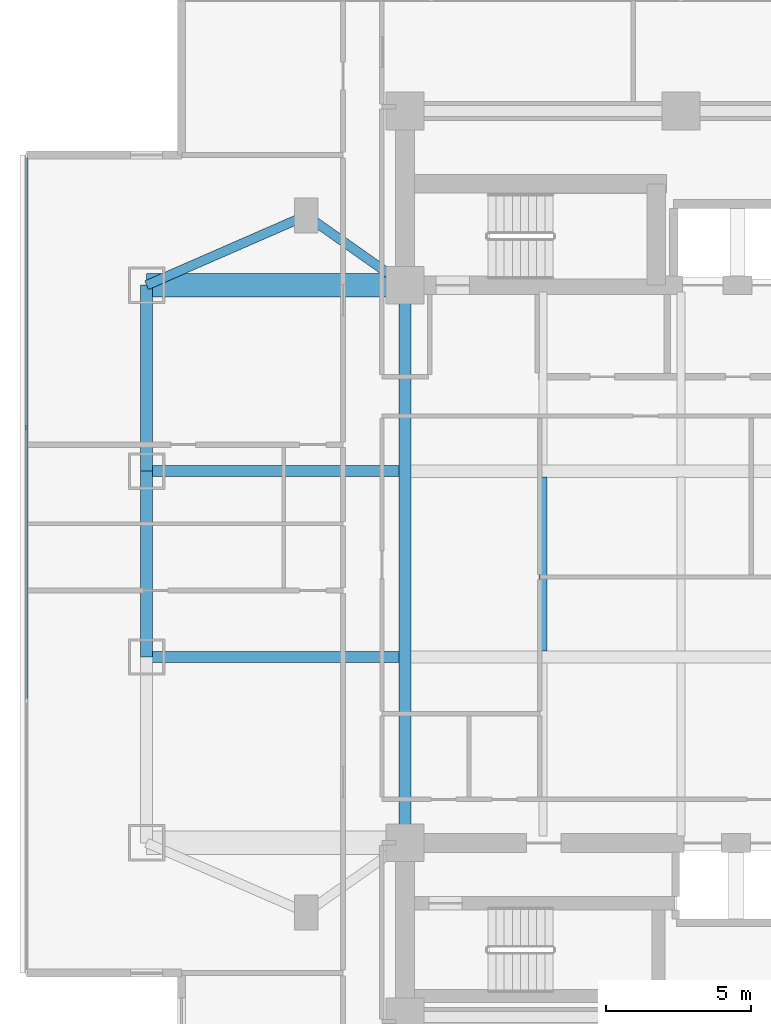
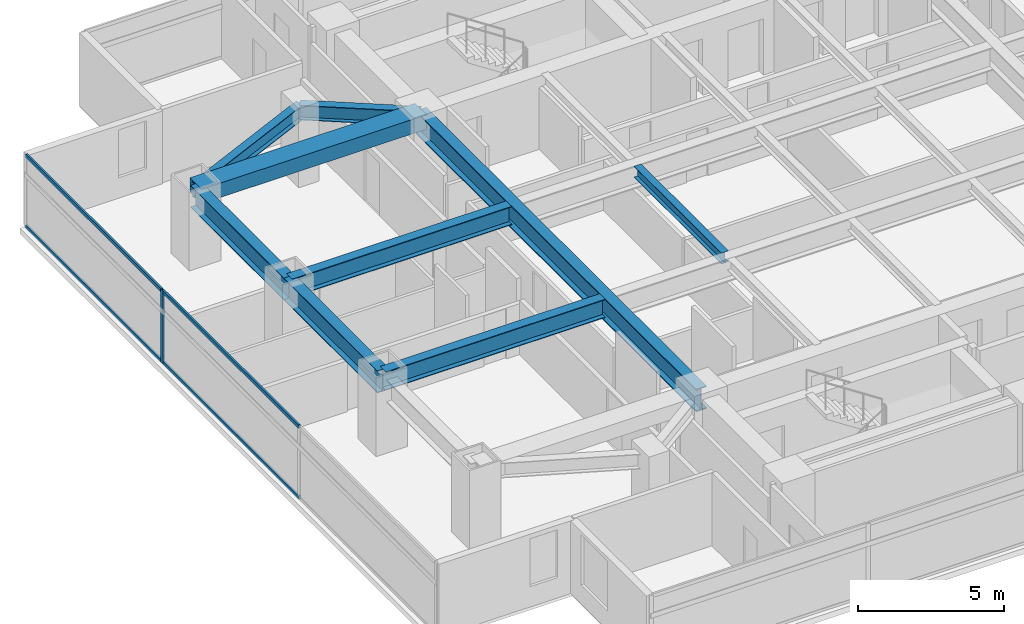
# One storey, part 3 of 27: 9 beams, 5 members, 1 element without a shape of its own.
"""IFC4 building model written with IfcOpenShell, lengths in metres."""

from ifc_helpers import new_model, si_unit, direction, frame, origin, origin_2d, place, context, subcontext, project, spatial, rectangle, i_section, extrude, material, material_profile, profile_set, type_object, element, aggregate, save


model = new_model("IFC4")

# Units and contexts
model_context = context("Model", 3, precision=1e-05, world=origin(), true_north=direction((0.0, 1.0)))
body_context = subcontext(model_context, "Body", "Model", "MODEL_VIEW")
ifc_project = project(units=[si_unit("LENGTHUNIT", "METRE"), si_unit("AREAUNIT", "SQUARE_METRE"), si_unit("VOLUMEUNIT", "CUBIC_METRE"), si_unit("PLANEANGLEUNIT", "RADIAN"), si_unit("MASSUNIT", "GRAM", prefix="KILO")], contexts=[model_context])

# Site, building, storey
site_placement = place(None, origin())
site = spatial("IfcSite", under=ifc_project, at=site_placement, CompositionType="ELEMENT")
building_placement = place(site_placement, origin())
building = spatial("IfcBuilding", under=site, at=building_placement, Name="Mirazonda Arch Towers", CompositionType="ELEMENT")
storey_placement = place(building_placement, frame((0.0, 0.0, 75.199951171875)))
storey = spatial("IfcBuildingStorey", under=building, at=storey_placement, Name="L21", CompositionType="ELEMENT", Elevation=75.199951171875)

# Beams
ifc_material_1 = material(Name="Steel ASTM A992 Grade 50", Category="steel")
ifc_material_profile_1 = material_profile(ifc_material_1, i_section(OverallWidth=0.41796875, OverallDepth=0.927001953125, WebThickness=0.019287109375, FlangeThickness=0.031982421875, at=origin_2d()), Name="W36X231")
ifc_profile_set_1 = profile_set([ifc_material_profile_1], Name="Steel ASTM A992 Grade 50")
beam_type_1 = type_object("IfcBeamType", Name="BM-EXT-W36X231", PredefinedType="USERDEFINED", material=ifc_profile_set_1)
beam_1_placement = place(storey_placement, frame((2.10009765625, 24.800048828125, 2.596435546875), z_axis=(0.0, 1.0, 0.0), x_axis=(-1.0, 0.0, 0.0)))
element("IfcBeam", 1, at=beam_1_placement, inside=storey, type_object=beam_type_1, Name="L21 Floor Beam BM-T1-L21-NS-W-24", ObjectType="GIRDER", PredefinedType="USERDEFINED", context=body_context, shape_type="SweptSolid", body=[
    extrude(i_section(OverallWidth=0.41796875, OverallDepth=0.927001953125, WebThickness=0.019287109375, FlangeThickness=0.031982421875, at=origin_2d()), origin(), (0.0, 0.0, 1.0), 6.39990234375),
])
beam_2_placement = place(storey_placement, frame((2.10009765625, 31.199951171875, 2.596435546875), z_axis=(0.0, 1.0, 0.0), x_axis=(-1.0, 0.0, 0.0)))
element("IfcBeam", 2, at=beam_2_placement, inside=storey, type_object=beam_type_1, Name="L21 Floor Beam BM-T1-L21-NS-W-31", ObjectType="GIRDER", PredefinedType="USERDEFINED", context=body_context, shape_type="SweptSolid", body=[
    extrude(i_section(OverallWidth=0.41796875, OverallDepth=0.927001953125, WebThickness=0.019287109375, FlangeThickness=0.031982421875, at=origin_2d()), origin(), (0.0, 0.0, 1.0), 6.400146484375),
])
ifc_material_profile_2 = material_profile(ifc_material_1, i_section(OverallWidth=0.280029296875, OverallDepth=0.462890625, WebThickness=0.0107421875, FlangeThickness=0.017333984375, at=origin_2d()), Name="W18X76")
ifc_profile_set_2 = profile_set([ifc_material_profile_2], Name="Steel ASTM A992 Grade 50")
beam_type_2 = type_object("IfcBeamType", Name="BM-INT-W18X76", PredefinedType="JOIST", material=ifc_profile_set_2)
beam_3_placement = place(storey_placement, frame((15.75, 25.007568359375, 2.82861328125), z_axis=(0.0, 1.0, 0.0), x_axis=(-1.0, 0.0, 0.0)))
element("IfcBeam", 3, at=beam_3_placement, inside=storey, type_object=beam_type_2, Name="L21 Floor Beam BM-T1-L21-J-157-24", PredefinedType="JOIST", context=body_context, shape_type="SweptSolid", body=[
    extrude(i_section(OverallWidth=0.280029296875, OverallDepth=0.462890625, WebThickness=0.0107421875, FlangeThickness=0.017333984375, at=origin_2d()), origin(), (0.0, 0.0, 1.0), 5.98486328125),
])
ifc_material_profile_3 = material_profile(ifc_material_1, i_section(OverallWidth=0.324951171875, OverallDepth=0.615966796875, WebThickness=0.013916015625, FlangeThickness=0.021484375, at=origin_2d()), Name="W24X117")
ifc_profile_set_3 = profile_set([ifc_material_profile_3], Name="Steel ASTM A992 Grade 50")
beam_type_3 = type_object("IfcBeamType", Name="BM-INT-W24X117", PredefinedType="BEAM", material=ifc_profile_set_3)
beam_4_placement = place(storey_placement, frame((7.60009765625, 40.0, 2.751953125), z_axis=(0.816971114901, -0.576678591087, 0.0), x_axis=(0.576678591087, 0.816971114901, 0.0)))
element("IfcBeam", 4, at=beam_4_placement, inside=storey, type_object=beam_type_3, Name="L21 Floor Beam BM-T1-L21-PL-NW1", PredefinedType="BEAM", context=body_context, shape_type="SweptSolid", body=[
    extrude(i_section(OverallWidth=0.324951171875, OverallDepth=0.615966796875, WebThickness=0.013916015625, FlangeThickness=0.021484375, at=origin_2d()), origin(), (0.0, 0.0, 1.0), 4.16162109375),
])
beam_5_placement = place(storey_placement, frame((7.60009765625, 40.0, 2.751953125), z_axis=(-0.916545343703, -0.399930785183, 0.0), x_axis=(0.399930785183, -0.916545343703, 0.0)))
element("IfcBeam", 5, at=beam_5_placement, inside=storey, type_object=beam_type_3, Name="L21 Floor Beam BM-T1-L21-PL-NW2", PredefinedType="BEAM", context=body_context, shape_type="SweptSolid", body=[
    extrude(i_section(OverallWidth=0.324951171875, OverallDepth=0.615966796875, WebThickness=0.013916015625, FlangeThickness=0.021484375, at=origin_2d()), origin(), (0.0, 0.0, 1.0), 6.000732421875),
])
ifc_material_profile_4 = material_profile(ifc_material_1, i_section(OverallWidth=0.381103515625, OverallDepth=0.77294921875, WebThickness=0.0166015625, FlangeThickness=0.027099609375, at=origin_2d()), Name="W30X173")
ifc_profile_set_4 = profile_set([ifc_material_profile_4], Name="Steel ASTM A992 Grade 50")
beam_type_4 = type_object("IfcBeamType", Name="BM-INT-W30X173", PredefinedType="USERDEFINED", material=ifc_profile_set_4)
for number, where, z_axis, x_axis, name in (
    (6, (2.10009765625, 24.800048828125, 2.673583984375), (1.0, 0.0, 0.0), (0.0, 1.0, 0.0), "L21 Floor Beam BM-T1-L21-GW2"),
    (7, (2.10009765625, 31.199951171875, 2.673583984375), (1.0, 0.0, 0.0), (0.0, 1.0, 0.0), "L21 Floor Beam BM-T1-L21-GW3"),
):
    element("IfcBeam", number, at=place(storey_placement, frame(where, z_axis=z_axis, x_axis=x_axis)), inside=storey, type_object=beam_type_4, Name=name, ObjectType="GIRDER", PredefinedType="USERDEFINED", context=body_context, shape_type="SweptSolid", body=[
        extrude(i_section(OverallWidth=0.381103515625, OverallDepth=0.77294921875, WebThickness=0.0166015625, FlangeThickness=0.027099609375, at=origin_2d()), origin(), (0.0, 0.0, 1.0), 8.6884765625),
    ])
ifc_material_profile_5 = material_profile(ifc_material_1, i_section(OverallWidth=0.423095703125, OverallDepth=0.947998046875, WebThickness=0.02392578125, FlangeThickness=0.042724609375, at=origin_2d()), Name="W36X302")
ifc_profile_set_5 = profile_set([ifc_material_profile_5], Name="Steel ASTM A992 Grade 50")
beam_type_5 = type_object("IfcBeamType", Name="BM-INT-W36X302", PredefinedType="USERDEFINED", material=ifc_profile_set_5)
beam_6_placement = place(storey_placement, frame((11.0, 18.39990234375, 2.5859375), z_axis=(0.0, 1.0, 0.0), x_axis=(-1.0, 0.0, 0.0)))
element("IfcBeam", 8, at=beam_6_placement, inside=storey, type_object=beam_type_5, Name="L21 Floor Beam BM-T1-L21-NS-CW-FULL", ObjectType="GIRDER", PredefinedType="USERDEFINED", context=body_context, shape_type="SweptSolid", body=[
    extrude(i_section(OverallWidth=0.423095703125, OverallDepth=0.947998046875, WebThickness=0.02392578125, FlangeThickness=0.042724609375, at=origin_2d()), origin(), (0.0, 0.0, 1.0), 19.2001953125),
])
ifc_material_2 = material(Name="Concrete C60/75", Category="concrete")
ifc_material_profile_6 = material_profile(ifc_material_2, rectangle(XDim=0.800048828125, YDim=0.60009765625, at=origin_2d()), Name="RCCB800x600")
ifc_profile_set_6 = profile_set([ifc_material_profile_6], Name="Concrete C60/75")
beam_type_6 = type_object("IfcBeamType", Name="CB-INT-RCCB800x600", PredefinedType="SPANDREL", material=ifc_profile_set_6)
beam_7_placement = place(storey_placement, frame((2.10009765625, 37.60009765625, 2.760009765625), z_axis=(1.0, 0.0, 0.0), x_axis=(0.0, 1.0, 0.0)))
element("IfcBeam", 9, at=beam_7_placement, inside=storey, type_object=beam_type_6, Name="L21 Floor Beam CBC-T1-L21-NW", PredefinedType="SPANDREL", context=body_context, shape_type="SweptSolid", body=[
    extrude(rectangle(XDim=0.800048828125, YDim=0.60009765625, at=origin_2d()), origin(), (0.0, 0.0, 1.0), 8.89990234375),
])

# Curtain wall, members
ifc_material_3 = material(Name="Anodised Aluminium and Low-E Glass", Category="aluminium")
curtain_wall_type = type_object("IfcCurtainWallType", Name="CW-HTL-UNIT", PredefinedType="NOTDEFINED", material=ifc_material_3)
curtain_wall_placement = place(storey_placement, origin())
curtain_wall = element("IfcCurtainWall", 10, at=curtain_wall_placement, inside=storey, type_object=curtain_wall_type, Name="L21 T1 W Facade CW-L21-T1-W", PredefinedType="NOTDEFINED")
ifc_material_4 = material(Name="Anodised Aluminium Alloy", Category="aluminium")
ifc_material_profile_7 = material_profile(ifc_material_4, rectangle(XDim=0.074951171875, YDim=0.1650390625, at=origin_2d()), Name="ALU-MULL-75x165")
ifc_profile_set_7 = profile_set([ifc_material_profile_7], Name="Anodised Aluminium Alloy")
member_type_1 = type_object("IfcMemberType", Name="MULL-CW-HTL-UNIT", PredefinedType="MULLION", material=ifc_profile_set_7)
member_1_placement = place(storey_placement, frame((-2.0400390625, 32.6953125, 0.0), z_axis=(0.0, 0.0, 1.0), x_axis=(1.0, 0.0, 0.0)))
member_1 = element("IfcMember", 11, at=member_1_placement, type_object=member_type_1, Name="CW-112 mullion 2", PredefinedType="MULLION", context=body_context, shape_type="SweptSolid", body=[
    extrude(rectangle(XDim=0.074951171875, YDim=0.1650390625, at=origin_2d()), origin(), (0.0, 0.0, 1.0), 3.0400390625),
])
ifc_material_profile_8 = material_profile(ifc_material_4, rectangle(XDim=0.074951171875, YDim=0.14501953125, at=origin_2d()), Name="ALU-TRAN-75x145")
ifc_profile_set_8 = profile_set([ifc_material_profile_8], Name="Anodised Aluminium Alloy")
member_type_2 = type_object("IfcMemberType", Name="TRAN-CW-HTL-UNIT", PredefinedType="USERDEFINED", material=ifc_profile_set_8)
member_2_placement = place(storey_placement, frame((-2.0400390625, 42.010986328125, 0.03759765625), z_axis=(0.0, -1.0, 0.0), x_axis=(1.0, 0.0, 0.0)))
member_2 = element("IfcMember", 12, at=member_2_placement, type_object=member_type_2, Name="CW-112 transom 1.1", ObjectType="TRANSOM", PredefinedType="USERDEFINED", context=body_context, shape_type="SweptSolid", body=[
    extrude(rectangle(XDim=0.074951171875, YDim=0.14501953125, at=origin_2d()), origin(), (0.0, 0.0, 1.0), 9.278076171875),
])
member_3_placement = place(storey_placement, frame((-2.0400390625, 42.010986328125, 3.00244140625), z_axis=(0.0, -1.0, 0.0), x_axis=(1.0, 0.0, 0.0)))
member_3 = element("IfcMember", 13, at=member_3_placement, type_object=member_type_2, Name="CW-112 transom 1.2", ObjectType="TRANSOM", PredefinedType="USERDEFINED", context=body_context, shape_type="SweptSolid", body=[
    extrude(rectangle(XDim=0.074951171875, YDim=0.14501953125, at=origin_2d()), origin(), (0.0, 0.0, 1.0), 9.278076171875),
])
member_4_placement = place(storey_placement, frame((-2.0400390625, 32.65771484375, 0.03759765625), z_axis=(0.0, -1.0, 0.0), x_axis=(1.0, 0.0, 0.0)))
member_4 = element("IfcMember", 14, at=member_4_placement, type_object=member_type_2, Name="CW-112 transom 2.1", ObjectType="TRANSOM", PredefinedType="USERDEFINED", context=body_context, shape_type="SweptSolid", body=[
    extrude(rectangle(XDim=0.074951171875, YDim=0.14501953125, at=origin_2d()), origin(), (0.0, 0.0, 1.0), 9.3154296875),
])
member_5_placement = place(storey_placement, frame((-2.0400390625, 32.65771484375, 3.00244140625), z_axis=(0.0, -1.0, 0.0), x_axis=(1.0, 0.0, 0.0)))
member_5 = element("IfcMember", 15, at=member_5_placement, type_object=member_type_2, Name="CW-112 transom 2.2", ObjectType="TRANSOM", PredefinedType="USERDEFINED", context=body_context, shape_type="SweptSolid", body=[
    extrude(rectangle(XDim=0.074951171875, YDim=0.14501953125, at=origin_2d()), origin(), (0.0, 0.0, 1.0), 9.3154296875),
])
aggregate(curtain_wall, [member_1, member_2, member_3, member_4, member_5])

save(model, "model.ifc")
